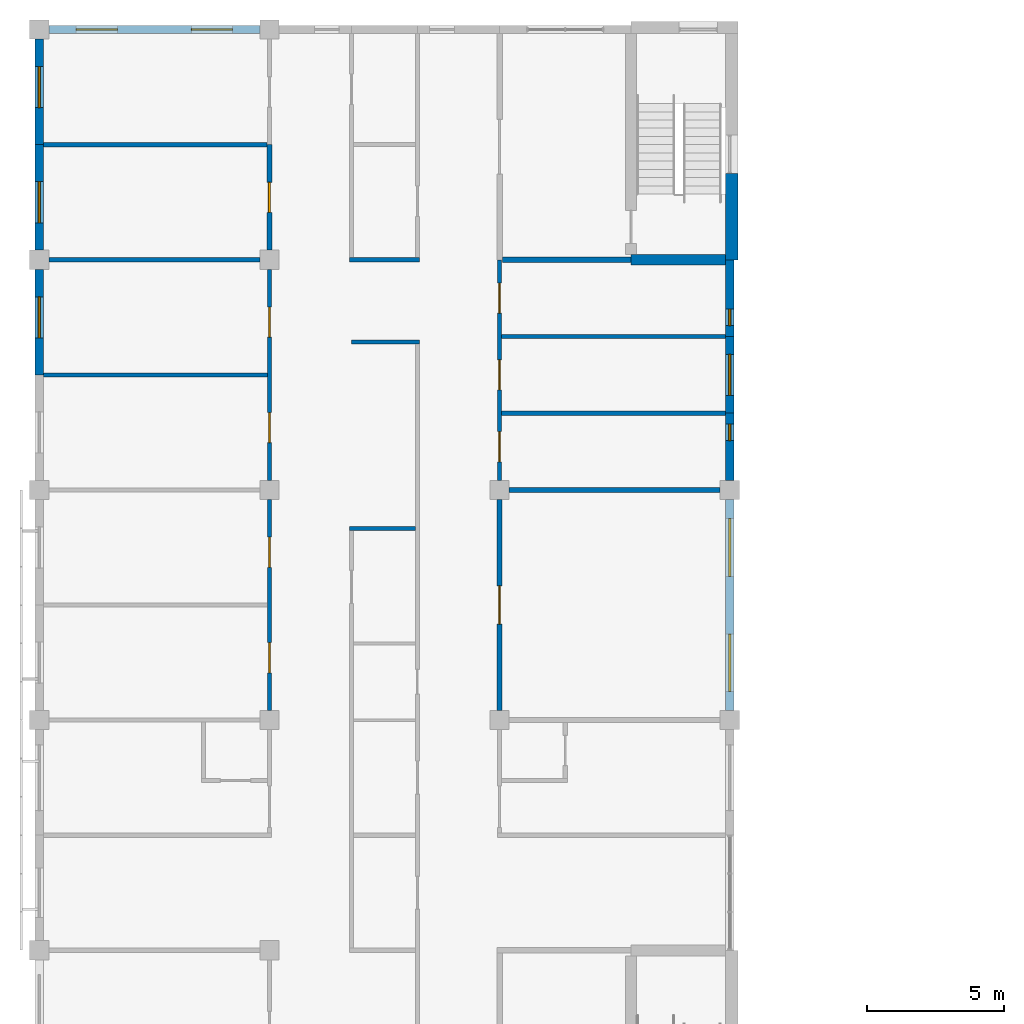
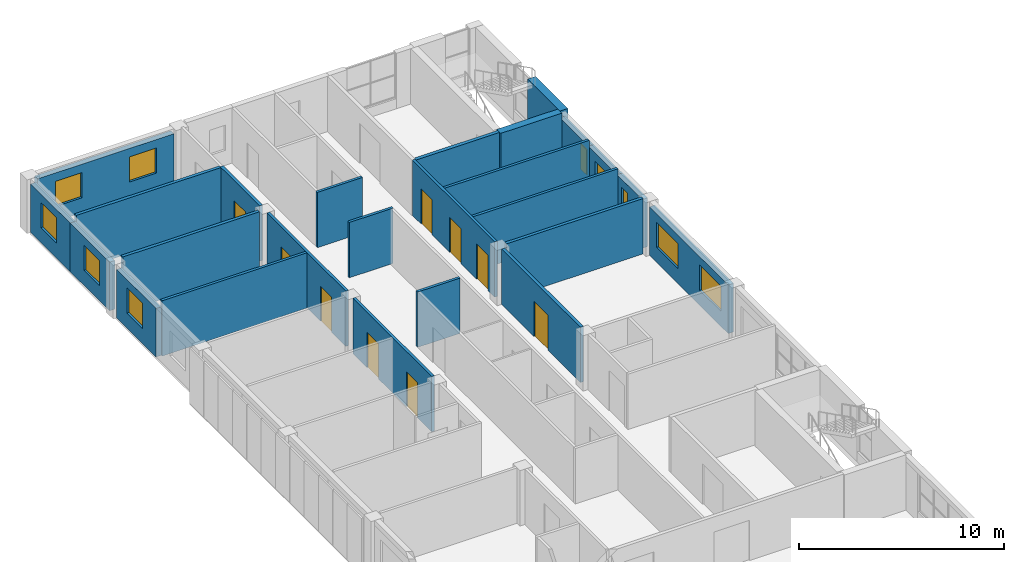
# One storey, part 36 of 48: 25 walls, 10 windows, 9 doors, 19 openings.
"""IFC4 building model written with IfcOpenShell, lengths in metres."""

from ifc_helpers import new_model, si_unit, direction, frame, frame_2d, origin, place, context, subcontext, project, spatial, rectangle, extrude, material, layer, layer_set, type_object, element, fill, save


model = new_model("IFC4")

# Units and contexts
model_context = context("Model", 3, precision=1e-05, world=origin(), true_north=direction((0.0, 1.0)))
body_context = subcontext(model_context, "Body", "Model", "MODEL_VIEW")
ifc_project = project(units=[si_unit("LENGTHUNIT", "METRE"), si_unit("AREAUNIT", "SQUARE_METRE"), si_unit("VOLUMEUNIT", "CUBIC_METRE"), si_unit("PLANEANGLEUNIT", "RADIAN"), si_unit("MASSUNIT", "GRAM", prefix="KILO")], contexts=[model_context])

# Site, building, storey
site_placement = place(None, origin())
site = spatial("IfcSite", under=ifc_project, at=site_placement, CompositionType="ELEMENT")
building_placement = place(site_placement, origin())
building = spatial("IfcBuilding", under=site, at=building_placement, Name="Yavir Park General Hospital", CompositionType="ELEMENT")
storey_placement = place(building_placement, frame((0.0, 0.0, 26.10009765625)))
storey = spatial("IfcBuildingStorey", under=building, at=storey_placement, Name="L06", CompositionType="ELEMENT", Elevation=26.10009765625)

# Walls
ifc_material_1 = material(Name="Double-leaf gypsum board acoustic partition on staggered studs")
ifc_layer_1 = layer(ifc_material_1, 0.175048828125)
ifc_layer_set_1 = layer_set([ifc_layer_1], Name="Double-leaf gypsum board acoustic partition on staggered studs")
wall_type_1 = type_object("IfcWallType", Name="Acoustic partition 175", PredefinedType="PARTITIONING", material=ifc_layer_set_1)
wall_1_placement = place(storey_placement, frame((17.14990234375, 100.800048828125, 0.0), z_axis=(0.0, 0.0, 1.0), x_axis=(1.0, 0.0, 0.0)))
element("IfcWall", 1, at=wall_1_placement, inside=storey, type_object=wall_type_1, Name="AP175 L06-121", PredefinedType="PARTITIONING", context=body_context, shape_type="SweptSolid", body=[
    extrude(rectangle(XDim=7.7001953125, YDim=0.175048828125, at=frame_2d((3.85009765625, 0.0))), origin(), (0.0, 0.0, 1.0), 3.2998046875),
])
wall_2_placement = place(storey_placement, frame((0.35009765625, 109.199951171875, 0.0), z_axis=(0.0, 0.0, 1.0), x_axis=(1.0, 0.0, 0.0)))
element("IfcWall", 2, at=wall_2_placement, inside=storey, type_object=wall_type_1, Name="AP175 L06-126", PredefinedType="PARTITIONING", context=body_context, shape_type="SweptSolid", body=[
    extrude(rectangle(XDim=7.699951171875, YDim=0.175048828125, at=frame_2d((3.85009765625, 0.0))), origin(), (0.0, 0.0, 1.0), 3.2998046875),
])
wall_3_placement = place(storey_placement, frame((0.14990234375, 113.39990234375, 0.0), z_axis=(0.0, 0.0, 1.0), x_axis=(1.0, 0.0, 0.0)))
element("IfcWall", 3, at=wall_3_placement, inside=storey, type_object=wall_type_1, Name="AP175 L06-130", PredefinedType="PARTITIONING", context=body_context, shape_type="SweptSolid", body=[
    extrude(rectangle(XDim=8.16259765625, YDim=0.175048828125, at=frame_2d((4.081298828125, 0.0))), origin(), (0.0, 0.0, 1.0), 3.2998046875),
])

# Wall, opening, door
wall_4_placement = place(storey_placement, frame((8.39990234375, 109.550048828125, 0.0), z_axis=(0.0, 0.0, 1.0), x_axis=(0.0, 1.0, 0.0)))
wall_4 = element("IfcWall", 4, at=wall_4_placement, inside=storey, type_object=wall_type_1, Name="AP175 L06-160", PredefinedType="PARTITIONING", context=body_context, shape_type="SweptSolid", body=[
    extrude(rectangle(XDim=3.849853515625, YDim=0.175048828125, at=frame_2d((1.9248046875, 0.0))), origin(), (0.0, 0.0, 1.0), 3.2998046875),
])
opening_1_placement = place(wall_4_placement, frame((1.375, 0.0, 0.0)))
opening_1 = element("IfcOpeningElement", 5, at=opening_1_placement, cuts=wall_4, Name="Opening L06.D100", PredefinedType="OPENING", context=body_context, shape_type="SweptSolid", body=[
    extrude(rectangle(XDim=1.10009765625, YDim=2.10009765625, at=frame_2d((0.550048828125, 1.050048828125))), frame((0.0, 0.097412109375, 0.0), z_axis=(0.0, -1.0, 0.0), x_axis=(1.0, 0.0, 0.0)), (0.0, 0.0, 1.0), 0.195068359375),
])
ifc_material_2 = material(Name="Sealed solid-core acoustic door leaf, Rw 42 dB")
door_type_1 = type_object("IfcDoorType", Name="Acoustic door 1100 x 2100", OperationType="SINGLE_SWING_LEFT", PredefinedType="DOOR", material=ifc_material_2)
door_1_placement = place(opening_1_placement, origin())
door_1 = element("IfcDoor", 6, at=door_1_placement, inside=storey, type_object=door_type_1, Name="L06.D100", OperationType="SINGLE_SWING_LEFT", OverallHeight=2.10009765625, OverallWidth=1.10009765625, PredefinedType="DOOR", context=body_context, shape_type="SweptSolid", body=[
    extrude(rectangle(XDim=1.10009765625, YDim=2.10009765625, at=frame_2d((0.550048828125, 1.050048828125))), frame((0.0, 0.03515625, 0.0), z_axis=(0.0, -1.0, 0.0), x_axis=(1.0, 0.0, 0.0)), (0.0, 0.0, 1.0), 0.070068359375),
])
fill(opening_1, door_1)

wall_5_placement = place(storey_placement, frame((16.800048828125, 92.75, 0.0), z_axis=(0.0, 0.0, 1.0), x_axis=(0.0, 1.0, 0.0)))
wall_5 = element("IfcWall", 7, at=wall_5_placement, inside=storey, type_object=wall_type_1, Name="AP175 L06-183", PredefinedType="PARTITIONING", context=body_context, shape_type="SweptSolid", body=[
    extrude(rectangle(XDim=7.699951171875, YDim=0.175048828125, at=frame_2d((3.85009765625, 0.0))), origin(), (0.0, 0.0, 1.0), 3.2998046875),
])
opening_2_placement = place(wall_5_placement, frame((3.14990234375, 0.0, 0.0)))
opening_2 = element("IfcOpeningElement", 8, at=opening_2_placement, cuts=wall_5, Name="Opening L06.D122", PredefinedType="OPENING", context=body_context, shape_type="SweptSolid", body=[
    extrude(rectangle(XDim=1.39990234375, YDim=2.10009765625, at=frame_2d((0.699951171875, 1.050048828125))), frame((0.0, 0.097412109375, 0.0), z_axis=(0.0, -1.0, 0.0), x_axis=(1.0, 0.0, 0.0)), (0.0, 0.0, 1.0), 0.195068359375),
])
ifc_material_3 = material(Name="Hollow metal frame, solid-core timber leaf", Category="wood")
door_type_2 = type_object("IfcDoorType", Name="Single swing door 1400 x 2100", OperationType="SINGLE_SWING_LEFT", PredefinedType="DOOR", material=ifc_material_3)
door_2_placement = place(opening_2_placement, origin())
door_2 = element("IfcDoor", 9, at=door_2_placement, inside=storey, type_object=door_type_2, Name="L06.D122", OperationType="SINGLE_SWING_LEFT", OverallHeight=2.10009765625, OverallWidth=1.39990234375, PredefinedType="DOOR", context=body_context, shape_type="SweptSolid", body=[
    extrude(rectangle(XDim=1.39990234375, YDim=2.10009765625, at=frame_2d((0.699951171875, 1.050048828125))), frame((0.0, 0.02490234375, 0.0), z_axis=(0.0, -1.0, 0.0), x_axis=(1.0, 0.0, 0.0)), (0.0, 0.0, 1.0), 0.050048828125),
])
fill(opening_2, door_2)

# Walls
ifc_material_4 = material(Name="Double gypsum board fire partition on steel studs", Category="steel")
ifc_layer_2 = layer(ifc_material_4, 0.199951171875)
ifc_layer_set_2 = layer_set([ifc_layer_2], Name="Double gypsum board fire partition on steel studs")
wall_type_2 = type_object("IfcWallType", Name="Fire-rated partition 200, EI 60", PredefinedType="PARTITIONING", material=ifc_layer_set_2)
wall_6_placement = place(storey_placement, frame((16.89990234375, 109.199951171875, 0.0), z_axis=(0.0, 0.0, 1.0), x_axis=(1.0, 0.0, 0.0)))
element("IfcWall", 10, at=wall_6_placement, inside=storey, type_object=wall_type_2, Name="FP20 L06-128", PredefinedType="PARTITIONING", context=body_context, shape_type="SweptSolid", body=[
    extrude(rectangle(XDim=4.7001953125, YDim=0.199951171875, at=frame_2d((2.35009765625, 0.0))), origin(), (0.0, 0.0, 1.0), 3.2998046875),
])
ifc_material_5 = material(Name="Gypsum board partition on steel studs", Category="steel")
ifc_layer_3 = layer(ifc_material_5, 0.14990234375)
ifc_layer_set_3 = layer_set([ifc_layer_3], Name="Gypsum board partition on steel studs")
wall_type_3 = type_object("IfcWallType", Name="Gypsum board partition 150", PredefinedType="PARTITIONING", material=ifc_layer_set_3)
wall_7_placement = place(storey_placement, frame((11.324951171875, 99.39990234375, 0.0), z_axis=(0.0, 0.0, 1.0), x_axis=(1.0, 0.0, 0.0)))
element("IfcWall", 11, at=wall_7_placement, inside=storey, type_object=wall_type_3, Name="P15 L06-119", PredefinedType="PARTITIONING", context=body_context, shape_type="SweptSolid", body=[
    extrude(rectangle(XDim=2.400146484375, YDim=0.14990234375, at=frame_2d((1.2001953125, 0.0))), origin(), (0.0, 0.0, 1.0), 3.2998046875),
])
for number, where, z_axis, x_axis, name in (
    (12, (16.875, 103.60009765625, 0.0), (0.0, 0.0, 1.0), (1.0, 0.0, 0.0), "P15 L06-122"),
    (13, (0.14990234375, 105.0, 0.0), (0.0, 0.0, 1.0), (1.0, 0.0, 0.0), "P15 L06-123"),
):
    element("IfcWall", number, at=place(storey_placement, frame(where, z_axis=z_axis, x_axis=x_axis)), inside=storey, type_object=wall_type_3, Name=name, PredefinedType="PARTITIONING", context=body_context, shape_type="SweptSolid", body=[
        extrude(rectangle(XDim=8.175048828125, YDim=0.14990234375, at=frame_2d((4.08740234375, 0.0))), origin(), (0.0, 0.0, 1.0), 3.2998046875),
    ])
wall_8_placement = place(storey_placement, frame((11.39990234375, 106.199951171875, 0.0), z_axis=(0.0, 0.0, 1.0), x_axis=(1.0, 0.0, 0.0)))
element("IfcWall", 14, at=wall_8_placement, inside=storey, type_object=wall_type_3, Name="P15 L06-124", PredefinedType="PARTITIONING", context=body_context, shape_type="SweptSolid", body=[
    extrude(rectangle(XDim=2.47509765625, YDim=0.14990234375, at=frame_2d((1.237548828125, 0.0))), origin(), (0.0, 0.0, 1.0), 3.2998046875),
])
wall_9_placement = place(storey_placement, frame((16.875, 106.39990234375, 0.0), z_axis=(0.0, 0.0, 1.0), x_axis=(1.0, 0.0, 0.0)))
element("IfcWall", 15, at=wall_9_placement, inside=storey, type_object=wall_type_3, Name="P15 L06-125", PredefinedType="PARTITIONING", context=body_context, shape_type="SweptSolid", body=[
    extrude(rectangle(XDim=8.175048828125, YDim=0.14990234375, at=frame_2d((4.08740234375, 0.0))), origin(), (0.0, 0.0, 1.0), 3.2998046875),
])
wall_10_placement = place(storey_placement, frame((11.324951171875, 109.199951171875, 0.0), z_axis=(0.0, 0.0, 1.0), x_axis=(1.0, 0.0, 0.0)))
element("IfcWall", 16, at=wall_10_placement, inside=storey, type_object=wall_type_3, Name="P15 L06-127", PredefinedType="PARTITIONING", context=body_context, shape_type="SweptSolid", body=[
    extrude(rectangle(XDim=2.550048828125, YDim=0.14990234375, at=frame_2d((1.27490234375, 0.0))), origin(), (0.0, 0.0, 1.0), 3.2998046875),
])

# Wall, openings, doors
wall_11_placement = place(storey_placement, frame((8.39990234375, 92.75, 0.0), z_axis=(0.0, 0.0, 1.0), x_axis=(0.0, 1.0, 0.0)))
wall_11 = element("IfcWall", 17, at=wall_11_placement, inside=storey, type_object=wall_type_3, Name="P15 L06-158", PredefinedType="PARTITIONING", context=body_context, shape_type="SweptSolid", body=[
    extrude(rectangle(XDim=7.699951171875, YDim=0.14990234375, at=frame_2d((3.85009765625, 0.0))), origin(), (0.0, 0.0, 1.0), 3.2998046875),
])
opening_3_placement = place(wall_11_placement, frame((1.375, 0.0, 0.0)))
opening_3 = element("IfcOpeningElement", 18, at=opening_3_placement, cuts=wall_11, Name="Opening L06.D096", PredefinedType="OPENING", context=body_context, shape_type="SweptSolid", body=[
    extrude(rectangle(XDim=1.10009765625, YDim=2.10009765625, at=frame_2d((0.550048828125, 1.050048828125))), frame((0.0, 0.0849609375, 0.0), z_axis=(0.0, -1.0, 0.0), x_axis=(1.0, 0.0, 0.0)), (0.0, 0.0, 1.0), 0.169921875),
])
opening_4_placement = place(wall_11_placement, frame((5.22509765625, 0.0, 0.0)))
opening_4 = element("IfcOpeningElement", 19, at=opening_4_placement, cuts=wall_11, Name="Opening L06.D097", PredefinedType="OPENING", context=body_context, shape_type="SweptSolid", body=[
    extrude(rectangle(XDim=1.10009765625, YDim=2.10009765625, at=frame_2d((0.550048828125, 1.050048828125))), frame((0.0, 0.0849609375, 0.0), z_axis=(0.0, -1.0, 0.0), x_axis=(1.0, 0.0, 0.0)), (0.0, 0.0, 1.0), 0.169921875),
])
ifc_material_6 = material(Name="Hollow metal frame, solid-core timber leaf", Category="wood")
door_type_3 = type_object("IfcDoorType", Name="Single swing door 1100 x 2100", OperationType="SINGLE_SWING_LEFT", PredefinedType="DOOR", material=ifc_material_6)
door_3_placement = place(opening_3_placement, origin())
door_3 = element("IfcDoor", 20, at=door_3_placement, inside=storey, type_object=door_type_3, Name="L06.D096", OperationType="SINGLE_SWING_LEFT", OverallHeight=2.10009765625, OverallWidth=1.10009765625, PredefinedType="DOOR", context=body_context, shape_type="SweptSolid", body=[
    extrude(rectangle(XDim=1.10009765625, YDim=2.10009765625, at=frame_2d((0.550048828125, 1.050048828125))), frame((0.0, 0.02490234375, 0.0), z_axis=(0.0, -1.0, 0.0), x_axis=(1.0, 0.0, 0.0)), (0.0, 0.0, 1.0), 0.050048828125),
])
fill(opening_3, door_3)
door_4_placement = place(opening_4_placement, origin())
door_4 = element("IfcDoor", 21, at=door_4_placement, inside=storey, type_object=door_type_3, Name="L06.D097", OperationType="SINGLE_SWING_RIGHT", OverallHeight=2.10009765625, OverallWidth=1.10009765625, PredefinedType="DOOR", context=body_context, shape_type="SweptSolid", body=[
    extrude(rectangle(XDim=1.10009765625, YDim=2.10009765625, at=frame_2d((0.550048828125, 1.050048828125))), frame((0.0, 0.02490234375, 0.0), z_axis=(0.0, -1.0, 0.0), x_axis=(1.0, 0.0, 0.0)), (0.0, 0.0, 1.0), 0.050048828125),
])
fill(opening_4, door_4)

wall_12_placement = place(storey_placement, frame((8.39990234375, 101.14990234375, 0.0), z_axis=(0.0, 0.0, 1.0), x_axis=(0.0, 1.0, 0.0)))
wall_12 = element("IfcWall", 22, at=wall_12_placement, inside=storey, type_object=wall_type_3, Name="P15 L06-159", PredefinedType="PARTITIONING", context=body_context, shape_type="SweptSolid", body=[
    extrude(rectangle(XDim=7.7001953125, YDim=0.14990234375, at=frame_2d((3.85009765625, 0.0))), origin(), (0.0, 0.0, 1.0), 3.2998046875),
])
opening_5_placement = place(wall_12_placement, frame((1.375, 0.0, 0.0)))
opening_5 = element("IfcOpeningElement", 23, at=opening_5_placement, cuts=wall_12, Name="Opening L06.D098", PredefinedType="OPENING", context=body_context, shape_type="SweptSolid", body=[
    extrude(rectangle(XDim=1.10009765625, YDim=2.10009765625, at=frame_2d((0.550048828125, 1.050048828125))), frame((0.0, 0.0849609375, 0.0), z_axis=(0.0, -1.0, 0.0), x_axis=(1.0, 0.0, 0.0)), (0.0, 0.0, 1.0), 0.169921875),
])
opening_6_placement = place(wall_12_placement, frame((5.22509765625, 0.0, 0.0)))
opening_6 = element("IfcOpeningElement", 24, at=opening_6_placement, cuts=wall_12, Name="Opening L06.D099", PredefinedType="OPENING", context=body_context, shape_type="SweptSolid", body=[
    extrude(rectangle(XDim=1.10009765625, YDim=2.10009765625, at=frame_2d((0.550048828125, 1.050048828125))), frame((0.0, 0.0849609375, 0.0), z_axis=(0.0, -1.0, 0.0), x_axis=(1.0, 0.0, 0.0)), (0.0, 0.0, 1.0), 0.169921875),
])
door_5_placement = place(opening_5_placement, origin())
door_5 = element("IfcDoor", 25, at=door_5_placement, inside=storey, type_object=door_type_3, Name="L06.D098", OperationType="SINGLE_SWING_LEFT", OverallHeight=2.10009765625, OverallWidth=1.10009765625, PredefinedType="DOOR", context=body_context, shape_type="SweptSolid", body=[
    extrude(rectangle(XDim=1.10009765625, YDim=2.10009765625, at=frame_2d((0.550048828125, 1.050048828125))), frame((0.0, 0.02490234375, 0.0), z_axis=(0.0, -1.0, 0.0), x_axis=(1.0, 0.0, 0.0)), (0.0, 0.0, 1.0), 0.050048828125),
])
fill(opening_5, door_5)
door_6_placement = place(opening_6_placement, origin())
door_6 = element("IfcDoor", 26, at=door_6_placement, inside=storey, type_object=door_type_3, Name="L06.D099", OperationType="SINGLE_SWING_RIGHT", OverallHeight=2.10009765625, OverallWidth=1.10009765625, PredefinedType="DOOR", context=body_context, shape_type="SweptSolid", body=[
    extrude(rectangle(XDim=1.10009765625, YDim=2.10009765625, at=frame_2d((0.550048828125, 1.050048828125))), frame((0.0, 0.02490234375, 0.0), z_axis=(0.0, -1.0, 0.0), x_axis=(1.0, 0.0, 0.0)), (0.0, 0.0, 1.0), 0.050048828125),
])
fill(opening_6, door_6)

wall_13_placement = place(storey_placement, frame((16.800048828125, 101.14990234375, 0.0), z_axis=(0.0, 0.0, 1.0), x_axis=(0.0, 1.0, 0.0)))
wall_13 = element("IfcWall", 27, at=wall_13_placement, inside=storey, type_object=wall_type_3, Name="P15 L06-184", PredefinedType="PARTITIONING", context=body_context, shape_type="SweptSolid", body=[
    extrude(rectangle(XDim=8.050048828125, YDim=0.14990234375, at=frame_2d((4.02490234375, 0.0))), origin(), (0.0, 0.0, 1.0), 3.2998046875),
])
opening_7_placement = place(wall_13_placement, frame((0.675048828125, 0.0, 0.0)))
opening_7 = element("IfcOpeningElement", 28, at=opening_7_placement, cuts=wall_13, Name="Opening L06.D123", PredefinedType="OPENING", context=body_context, shape_type="SweptSolid", body=[
    extrude(rectangle(XDim=1.10009765625, YDim=2.10009765625, at=frame_2d((0.550048828125, 1.050048828125))), frame((0.0, 0.0849609375, 0.0), z_axis=(0.0, -1.0, 0.0), x_axis=(1.0, 0.0, 0.0)), (0.0, 0.0, 1.0), 0.169921875),
])
opening_8_placement = place(wall_13_placement, frame((3.300048828125, 0.0, 0.0)))
opening_8 = element("IfcOpeningElement", 29, at=opening_8_placement, cuts=wall_13, Name="Opening L06.D124", PredefinedType="OPENING", context=body_context, shape_type="SweptSolid", body=[
    extrude(rectangle(XDim=1.10009765625, YDim=2.10009765625, at=frame_2d((0.550048828125, 1.050048828125))), frame((0.0, 0.0849609375, 0.0), z_axis=(0.0, -1.0, 0.0), x_axis=(1.0, 0.0, 0.0)), (0.0, 0.0, 1.0), 0.169921875),
])
opening_9_placement = place(wall_13_placement, frame((6.10009765625, 0.0, 0.0)))
opening_9 = element("IfcOpeningElement", 30, at=opening_9_placement, cuts=wall_13, Name="Opening L06.D125", PredefinedType="OPENING", context=body_context, shape_type="SweptSolid", body=[
    extrude(rectangle(XDim=1.10009765625, YDim=2.10009765625, at=frame_2d((0.550048828125, 1.050048828125))), frame((0.0, 0.0849609375, 0.0), z_axis=(0.0, -1.0, 0.0), x_axis=(1.0, 0.0, 0.0)), (0.0, 0.0, 1.0), 0.169921875),
])
door_7_placement = place(opening_7_placement, origin())
door_7 = element("IfcDoor", 31, at=door_7_placement, inside=storey, type_object=door_type_3, Name="L06.D123", OperationType="SINGLE_SWING_RIGHT", OverallHeight=2.10009765625, OverallWidth=1.10009765625, PredefinedType="DOOR", context=body_context, shape_type="SweptSolid", body=[
    extrude(rectangle(XDim=1.10009765625, YDim=2.10009765625, at=frame_2d((0.550048828125, 1.050048828125))), frame((0.0, 0.02490234375, 0.0), z_axis=(0.0, -1.0, 0.0), x_axis=(1.0, 0.0, 0.0)), (0.0, 0.0, 1.0), 0.050048828125),
])
fill(opening_7, door_7)
door_8_placement = place(opening_8_placement, origin())
door_8 = element("IfcDoor", 32, at=door_8_placement, inside=storey, type_object=door_type_3, Name="L06.D124", OperationType="SINGLE_SWING_LEFT", OverallHeight=2.10009765625, OverallWidth=1.10009765625, PredefinedType="DOOR", context=body_context, shape_type="SweptSolid", body=[
    extrude(rectangle(XDim=1.10009765625, YDim=2.10009765625, at=frame_2d((0.550048828125, 1.050048828125))), frame((0.0, 0.02490234375, 0.0), z_axis=(0.0, -1.0, 0.0), x_axis=(1.0, 0.0, 0.0)), (0.0, 0.0, 1.0), 0.050048828125),
])
fill(opening_8, door_8)
door_9_placement = place(opening_9_placement, origin())
door_9 = element("IfcDoor", 33, at=door_9_placement, inside=storey, type_object=door_type_3, Name="L06.D125", OperationType="SINGLE_SWING_LEFT", OverallHeight=2.10009765625, OverallWidth=1.10009765625, PredefinedType="DOOR", context=body_context, shape_type="SweptSolid", body=[
    extrude(rectangle(XDim=1.10009765625, YDim=2.10009765625, at=frame_2d((0.550048828125, 1.050048828125))), frame((0.0, 0.02490234375, 0.0), z_axis=(0.0, -1.0, 0.0), x_axis=(1.0, 0.0, 0.0)), (0.0, 0.0, 1.0), 0.050048828125),
])
fill(opening_9, door_9)

# Wall, openings, windows
ifc_material_7 = material(Name="Autoclaved aerated block, mineral wool and ochre mineral render")
ifc_layer_4 = layer(ifc_material_7, 0.300048828125)
ifc_layer_set_4 = layer_set([ifc_layer_4], Name="Autoclaved aerated block, mineral wool and ochre mineral render")
wall_type_4 = type_object("IfcWallType", Name="Ochre render ward wall 300, E 30", PredefinedType="SOLIDWALL", material=ifc_layer_set_4)
wall_14_placement = place(storey_placement, frame((0.35009765625, 117.60009765625, 0.0), z_axis=(0.0, 0.0, 1.0), x_axis=(1.0, 0.0, 0.0)))
wall_14 = element("IfcWall", 34, at=wall_14_placement, inside=storey, type_object=wall_type_4, Name="XW7 L06-059", PredefinedType="SOLIDWALL", context=body_context, shape_type="SweptSolid", body=[
    extrude(rectangle(XDim=7.699951171875, YDim=0.300048828125, at=frame_2d((3.85009765625, 0.0))), origin(), (0.0, 0.0, 1.0), 2.89990234375),
])
opening_10_placement = place(wall_14_placement, frame((1.0, 0.0, 0.89990234375)))
opening_10 = element("IfcOpeningElement", 35, at=opening_10_placement, cuts=wall_14, Name="Opening WC", PredefinedType="OPENING", context=body_context, shape_type="SweptSolid", body=[
    extrude(rectangle(XDim=1.5, YDim=1.5, at=frame_2d((0.75, 0.75))), frame((0.0, 0.159912109375, 0.0), z_axis=(0.0, -1.0, 0.0), x_axis=(1.0, 0.0, 0.0)), (0.0, 0.0, 1.0), 0.320068359375),
])
opening_11_placement = place(wall_14_placement, frame((5.199951171875, 0.0, 0.89990234375)))
opening_11 = element("IfcOpeningElement", 36, at=opening_11_placement, cuts=wall_14, Name="Opening WC", PredefinedType="OPENING", context=body_context, shape_type="SweptSolid", body=[
    extrude(rectangle(XDim=1.5, YDim=1.5, at=frame_2d((0.75, 0.75))), frame((0.0, 0.159912109375, 0.0), z_axis=(0.0, -1.0, 0.0), x_axis=(1.0, 0.0, 0.0)), (0.0, 0.0, 1.0), 0.320068359375),
])
ifc_material_8 = material(Name="Aluminium frame, double glazed unit", Category="aluminium")
window_type_1 = type_object("IfcWindowType", Name="Consulting room window 1500 x 1500", PartitioningType="SINGLE_PANEL", PredefinedType="WINDOW", material=ifc_material_8)
window_1_placement = place(opening_10_placement, origin())
window_1 = element("IfcWindow", 37, at=window_1_placement, inside=storey, type_object=window_type_1, Name="WC L06-018", OverallHeight=1.5, OverallWidth=1.5, PartitioningType="SINGLE_PANEL", PredefinedType="WINDOW", context=body_context, shape_type="SweptSolid", body=[
    extrude(rectangle(XDim=1.5, YDim=1.5, at=frame_2d((0.75, 0.75))), frame((0.0, 0.030029296875, 0.0), z_axis=(0.0, -1.0, 0.0), x_axis=(1.0, 0.0, 0.0)), (0.0, 0.0, 1.0), 0.06005859375),
])
fill(opening_10, window_1)
window_2_placement = place(opening_11_placement, origin())
window_2 = element("IfcWindow", 38, at=window_2_placement, inside=storey, type_object=window_type_1, Name="WC L06-019", OverallHeight=1.5, OverallWidth=1.5, PartitioningType="SINGLE_PANEL", PredefinedType="WINDOW", context=body_context, shape_type="SweptSolid", body=[
    extrude(rectangle(XDim=1.5, YDim=1.5, at=frame_2d((0.75, 0.75))), frame((0.0, 0.030029296875, 0.0), z_axis=(0.0, -1.0, 0.0), x_axis=(1.0, 0.0, 0.0)), (0.0, 0.0, 1.0), 0.06005859375),
])
fill(opening_11, window_2)

# Wall, opening, window
wall_15_placement = place(storey_placement, frame((0.0, 105.0, 0.0), z_axis=(0.0, 0.0, 1.0), x_axis=(0.0, 1.0, 0.0)))
wall_15 = element("IfcWall", 39, at=wall_15_placement, inside=storey, type_object=wall_type_4, Name="XW7 L06-096", PredefinedType="SOLIDWALL", context=body_context, shape_type="SweptSolid", body=[
    extrude(rectangle(XDim=3.85009765625, YDim=0.300048828125, at=frame_2d((1.925048828125, 0.0))), origin(), (0.0, 0.0, 1.0), 2.89990234375),
])
opening_12_placement = place(wall_15_placement, frame((1.35009765625, 0.0, 0.89990234375)))
opening_12 = element("IfcOpeningElement", 40, at=opening_12_placement, cuts=wall_15, Name="Opening WC", PredefinedType="OPENING", context=body_context, shape_type="SweptSolid", body=[
    extrude(rectangle(XDim=1.5, YDim=1.5, at=frame_2d((0.75, 0.75))), frame((0.0, 0.159912109375, 0.0), z_axis=(0.0, -1.0, 0.0), x_axis=(1.0, 0.0, 0.0)), (0.0, 0.0, 1.0), 0.320068359375),
])
window_3_placement = place(opening_12_placement, origin())
window_3 = element("IfcWindow", 41, at=window_3_placement, inside=storey, type_object=window_type_1, Name="WC L06-040", OverallHeight=1.5, OverallWidth=1.5, PartitioningType="SINGLE_PANEL", PredefinedType="WINDOW", context=body_context, shape_type="SweptSolid", body=[
    extrude(rectangle(XDim=1.5, YDim=1.5, at=frame_2d((0.75, 0.75))), frame((0.0, 0.030029296875, 0.0), z_axis=(0.0, -1.0, 0.0), x_axis=(1.0, 0.0, 0.0)), (0.0, 0.0, 1.0), 0.06005859375),
])
fill(opening_12, window_3)

wall_16_placement = place(storey_placement, frame((0.0, 109.550048828125, 0.0), z_axis=(0.0, 0.0, 1.0), x_axis=(0.0, 1.0, 0.0)))
wall_16 = element("IfcWall", 42, at=wall_16_placement, inside=storey, type_object=wall_type_4, Name="XW7 L06-097", PredefinedType="SOLIDWALL", context=body_context, shape_type="SweptSolid", body=[
    extrude(rectangle(XDim=3.849853515625, YDim=0.300048828125, at=frame_2d((1.9248046875, 0.0))), origin(), (0.0, 0.0, 1.0), 2.89990234375),
])
opening_13_placement = place(wall_16_placement, frame((1.0, 0.0, 0.89990234375)))
opening_13 = element("IfcOpeningElement", 43, at=opening_13_placement, cuts=wall_16, Name="Opening WC", PredefinedType="OPENING", context=body_context, shape_type="SweptSolid", body=[
    extrude(rectangle(XDim=1.5, YDim=1.5, at=frame_2d((0.75, 0.75))), frame((0.0, 0.159912109375, 0.0), z_axis=(0.0, -1.0, 0.0), x_axis=(1.0, 0.0, 0.0)), (0.0, 0.0, 1.0), 0.320068359375),
])
window_4_placement = place(opening_13_placement, origin())
window_4 = element("IfcWindow", 44, at=window_4_placement, inside=storey, type_object=window_type_1, Name="WC L06-041", OverallHeight=1.5, OverallWidth=1.5, PartitioningType="SINGLE_PANEL", PredefinedType="WINDOW", context=body_context, shape_type="SweptSolid", body=[
    extrude(rectangle(XDim=1.5, YDim=1.5, at=frame_2d((0.75, 0.75))), frame((0.0, 0.030029296875, 0.0), z_axis=(0.0, -1.0, 0.0), x_axis=(1.0, 0.0, 0.0)), (0.0, 0.0, 1.0), 0.06005859375),
])
fill(opening_13, window_4)

wall_17_placement = place(storey_placement, frame((0.0, 113.39990234375, 0.0), z_axis=(0.0, 0.0, 1.0), x_axis=(0.0, 1.0, 0.0)))
wall_17 = element("IfcWall", 45, at=wall_17_placement, inside=storey, type_object=wall_type_4, Name="XW7 L06-098", PredefinedType="SOLIDWALL", context=body_context, shape_type="SweptSolid", body=[
    extrude(rectangle(XDim=3.85009765625, YDim=0.300048828125, at=frame_2d((1.925048828125, 0.0))), origin(), (0.0, 0.0, 1.0), 2.89990234375),
])
opening_14_placement = place(wall_17_placement, frame((1.35009765625, 0.0, 0.89990234375)))
opening_14 = element("IfcOpeningElement", 46, at=opening_14_placement, cuts=wall_17, Name="Opening WC", PredefinedType="OPENING", context=body_context, shape_type="SweptSolid", body=[
    extrude(rectangle(XDim=1.5, YDim=1.5, at=frame_2d((0.75, 0.75))), frame((0.0, 0.159912109375, 0.0), z_axis=(0.0, -1.0, 0.0), x_axis=(1.0, 0.0, 0.0)), (0.0, 0.0, 1.0), 0.320068359375),
])
window_5_placement = place(opening_14_placement, origin())
window_5 = element("IfcWindow", 47, at=window_5_placement, inside=storey, type_object=window_type_1, Name="WC L06-042", OverallHeight=1.5, OverallWidth=1.5, PartitioningType="SINGLE_PANEL", PredefinedType="WINDOW", context=body_context, shape_type="SweptSolid", body=[
    extrude(rectangle(XDim=1.5, YDim=1.5, at=frame_2d((0.75, 0.75))), frame((0.0, 0.030029296875, 0.0), z_axis=(0.0, -1.0, 0.0), x_axis=(1.0, 0.0, 0.0)), (0.0, 0.0, 1.0), 0.06005859375),
])
fill(opening_14, window_5)

# Wall, openings, windows
wall_18_placement = place(storey_placement, frame((25.199951171875, 92.75, 0.0), z_axis=(0.0, 0.0, 1.0), x_axis=(0.0, 1.0, 0.0)))
wall_18 = element("IfcWall", 48, at=wall_18_placement, inside=storey, type_object=wall_type_4, Name="XW7 L06-119", PredefinedType="SOLIDWALL", context=body_context, shape_type="SweptSolid", body=[
    extrude(rectangle(XDim=7.699951171875, YDim=0.300048828125, at=frame_2d((3.85009765625, 0.0))), origin(), (0.0, 0.0, 1.0), 2.89990234375),
])
opening_15_placement = place(wall_18_placement, frame((0.699951171875, 0.0, 0.89990234375)))
opening_15 = element("IfcOpeningElement", 49, at=opening_15_placement, cuts=wall_18, Name="Opening WAR", PredefinedType="OPENING", context=body_context, shape_type="SweptSolid", body=[
    extrude(rectangle(XDim=2.10009765625, YDim=1.5, at=frame_2d((1.050048828125, 0.75))), frame((0.0, 0.159912109375, 0.0), z_axis=(0.0, -1.0, 0.0), x_axis=(1.0, 0.0, 0.0)), (0.0, 0.0, 1.0), 0.320068359375),
])
opening_16_placement = place(wall_18_placement, frame((4.89990234375, 0.0, 0.89990234375)))
opening_16 = element("IfcOpeningElement", 50, at=opening_16_placement, cuts=wall_18, Name="Opening WAR", PredefinedType="OPENING", context=body_context, shape_type="SweptSolid", body=[
    extrude(rectangle(XDim=2.10009765625, YDim=1.5, at=frame_2d((1.050048828125, 0.75))), frame((0.0, 0.159912109375, 0.0), z_axis=(0.0, -1.0, 0.0), x_axis=(1.0, 0.0, 0.0)), (0.0, 0.0, 1.0), 0.320068359375),
])
ifc_material_9 = material(Name="Aluminium frame, tilt-and-turn sash with opening restrictor, double glazed unit", Category="aluminium")
window_type_2 = type_object("IfcWindowType", Name="Ward window, restricted opening 2100 x 1500", PartitioningType="DOUBLE_PANEL_VERTICAL", PredefinedType="WINDOW", material=ifc_material_9)
window_6_placement = place(opening_15_placement, origin())
window_6 = element("IfcWindow", 51, at=window_6_placement, inside=storey, type_object=window_type_2, Name="WAR L06-050", OverallHeight=1.5, OverallWidth=2.10009765625, PartitioningType="DOUBLE_PANEL_VERTICAL", PredefinedType="WINDOW", context=body_context, shape_type="SweptSolid", body=[
    extrude(rectangle(XDim=2.10009765625, YDim=1.5, at=frame_2d((1.050048828125, 0.75))), frame((0.0, 0.050048828125, 0.0), z_axis=(0.0, -1.0, 0.0), x_axis=(1.0, 0.0, 0.0)), (0.0, 0.0, 1.0), 0.10009765625),
])
fill(opening_15, window_6)
window_7_placement = place(opening_16_placement, origin())
window_7 = element("IfcWindow", 52, at=window_7_placement, inside=storey, type_object=window_type_2, Name="WAR L06-051", OverallHeight=1.5, OverallWidth=2.10009765625, PartitioningType="DOUBLE_PANEL_VERTICAL", PredefinedType="WINDOW", context=body_context, shape_type="SweptSolid", body=[
    extrude(rectangle(XDim=2.10009765625, YDim=1.5, at=frame_2d((1.050048828125, 0.75))), frame((0.0, 0.050048828125, 0.0), z_axis=(0.0, -1.0, 0.0), x_axis=(1.0, 0.0, 0.0)), (0.0, 0.0, 1.0), 0.10009765625),
])
fill(opening_16, window_7)

# Wall, opening, window
wall_19_placement = place(storey_placement, frame((25.199951171875, 101.14990234375, 0.0), z_axis=(0.0, 0.0, 1.0), x_axis=(0.0, 1.0, 0.0)))
wall_19 = element("IfcWall", 53, at=wall_19_placement, inside=storey, type_object=wall_type_4, Name="XW7 L06-120", PredefinedType="SOLIDWALL", context=body_context, shape_type="SweptSolid", body=[
    extrude(rectangle(XDim=2.4501953125, YDim=0.300048828125, at=frame_2d((1.22509765625, 0.0))), origin(), (0.0, 0.0, 1.0), 2.89990234375),
])
opening_17_placement = place(wall_19_placement, frame((1.449951171875, 0.0, 0.89990234375)))
opening_17 = element("IfcOpeningElement", 54, at=opening_17_placement, cuts=wall_19, Name="Opening WL", PredefinedType="OPENING", context=body_context, shape_type="SweptSolid", body=[
    extrude(rectangle(XDim=0.60009765625, YDim=1.5, at=frame_2d((0.300048828125, 0.75))), frame((0.0, 0.159912109375, 0.0), z_axis=(0.0, -1.0, 0.0), x_axis=(1.0, 0.0, 0.0)), (0.0, 0.0, 1.0), 0.320068359375),
])
ifc_material_10 = material(Name="Aluminium frame, double glazed unit", Category="aluminium")
window_type_3 = type_object("IfcWindowType", Name="Slim window 600 x 1500", PartitioningType="SINGLE_PANEL", PredefinedType="WINDOW", material=ifc_material_10)
window_8_placement = place(opening_17_placement, origin())
window_8 = element("IfcWindow", 55, at=window_8_placement, inside=storey, type_object=window_type_3, Name="WL L06-052", OverallHeight=1.5, OverallWidth=0.60009765625, PartitioningType="SINGLE_PANEL", PredefinedType="WINDOW", context=body_context, shape_type="SweptSolid", body=[
    extrude(rectangle(XDim=0.60009765625, YDim=1.5, at=frame_2d((0.300048828125, 0.75))), frame((0.0, 0.030029296875, 0.0), z_axis=(0.0, -1.0, 0.0), x_axis=(1.0, 0.0, 0.0)), (0.0, 0.0, 1.0), 0.06005859375),
])
fill(opening_17, window_8)

wall_20_placement = place(storey_placement, frame((25.199951171875, 103.60009765625, 0.0), z_axis=(0.0, 0.0, 1.0), x_axis=(0.0, 1.0, 0.0)))
wall_20 = element("IfcWall", 56, at=wall_20_placement, inside=storey, type_object=wall_type_4, Name="XW7 L06-121", PredefinedType="SOLIDWALL", context=body_context, shape_type="SweptSolid", body=[
    extrude(rectangle(XDim=2.7998046875, YDim=0.300048828125, at=frame_2d((1.39990234375, 0.0))), origin(), (0.0, 0.0, 1.0), 2.89990234375),
])
opening_18_placement = place(wall_20_placement, frame((0.64990234375, 0.0, 0.89990234375)))
opening_18 = element("IfcOpeningElement", 57, at=opening_18_placement, cuts=wall_20, Name="Opening WC", PredefinedType="OPENING", context=body_context, shape_type="SweptSolid", body=[
    extrude(rectangle(XDim=1.5, YDim=1.5, at=frame_2d((0.75, 0.75))), frame((0.0, 0.159912109375, 0.0), z_axis=(0.0, -1.0, 0.0), x_axis=(1.0, 0.0, 0.0)), (0.0, 0.0, 1.0), 0.320068359375),
])
window_9_placement = place(opening_18_placement, origin())
window_9 = element("IfcWindow", 58, at=window_9_placement, inside=storey, type_object=window_type_1, Name="WC L06-053", OverallHeight=1.5, OverallWidth=1.5, PartitioningType="SINGLE_PANEL", PredefinedType="WINDOW", context=body_context, shape_type="SweptSolid", body=[
    extrude(rectangle(XDim=1.5, YDim=1.5, at=frame_2d((0.75, 0.75))), frame((0.0, 0.030029296875, 0.0), z_axis=(0.0, -1.0, 0.0), x_axis=(1.0, 0.0, 0.0)), (0.0, 0.0, 1.0), 0.06005859375),
])
fill(opening_18, window_9)

wall_21_placement = place(storey_placement, frame((25.199951171875, 106.39990234375, 0.0), z_axis=(0.0, 0.0, 1.0), x_axis=(0.0, 1.0, 0.0)))
wall_21 = element("IfcWall", 59, at=wall_21_placement, inside=storey, type_object=wall_type_4, Name="XW7 L06-122", PredefinedType="SOLIDWALL", context=body_context, shape_type="SweptSolid", body=[
    extrude(rectangle(XDim=2.800048828125, YDim=0.300048828125, at=frame_2d((1.39990234375, 0.0))), origin(), (0.0, 0.0, 1.0), 2.89990234375),
])
opening_19_placement = place(wall_21_placement, frame((0.39990234375, 0.0, 0.89990234375)))
opening_19 = element("IfcOpeningElement", 60, at=opening_19_placement, cuts=wall_21, Name="Opening WL", PredefinedType="OPENING", context=body_context, shape_type="SweptSolid", body=[
    extrude(rectangle(XDim=0.60009765625, YDim=1.5, at=frame_2d((0.300048828125, 0.75))), frame((0.0, 0.159912109375, 0.0), z_axis=(0.0, -1.0, 0.0), x_axis=(1.0, 0.0, 0.0)), (0.0, 0.0, 1.0), 0.320068359375),
])
window_10_placement = place(opening_19_placement, origin())
window_10 = element("IfcWindow", 61, at=window_10_placement, inside=storey, type_object=window_type_3, Name="WL L06-054", OverallHeight=1.5, OverallWidth=0.60009765625, PartitioningType="SINGLE_PANEL", PredefinedType="WINDOW", context=body_context, shape_type="SweptSolid", body=[
    extrude(rectangle(XDim=0.60009765625, YDim=1.5, at=frame_2d((0.300048828125, 0.75))), frame((0.0, 0.030029296875, 0.0), z_axis=(0.0, -1.0, 0.0), x_axis=(1.0, 0.0, 0.0)), (0.0, 0.0, 1.0), 0.06005859375),
])
fill(opening_19, window_10)

# Walls
ifc_material_11 = material(Name="Concrete C35/45", Category="concrete")
ifc_layer_5 = layer(ifc_material_11, 0.39990234375)
ifc_layer_set_5 = layer_set([ifc_layer_5], Name="Concrete C35/45")
wall_type_5 = type_object("IfcWallType", Name="Reinforced concrete core wall 400, REI 150", PredefinedType="SHEAR", material=ifc_layer_set_5)
wall_22_placement = place(storey_placement, frame((21.60009765625, 109.199951171875, 0.0), z_axis=(0.0, 0.0, 1.0), x_axis=(1.0, 0.0, 0.0)))
element("IfcWall", 62, at=wall_22_placement, inside=storey, type_object=wall_type_5, Name="CW40 L06-129", PredefinedType="SHEAR", context=body_context, shape_type="SweptSolid", body=[
    extrude(rectangle(XDim=3.449951171875, YDim=0.39990234375, at=frame_2d((1.72509765625, 0.0))), origin(), (0.0, 0.0, 1.0), 3.2998046875),
])
ifc_material_12 = material(Name="Concrete C30/37 precast panel with 150 mm mineral wool insulation", Category="concrete")
ifc_layer_6 = layer(ifc_material_12, 0.449951171875)
ifc_layer_set_6 = layer_set([ifc_layer_6], Name="Concrete C30/37 precast panel with 150 mm mineral wool insulation")
wall_type_6 = type_object("IfcWallType", Name="Stair enclosure wall 450, REI 150", PredefinedType="SOLIDWALL", material=ifc_layer_set_6)
wall_23_placement = place(storey_placement, frame((25.27490234375, 109.199951171875, 0.0), z_axis=(0.0, 0.0, 1.0), x_axis=(0.0, 1.0, 0.0)))
element("IfcWall", 63, at=wall_23_placement, inside=storey, type_object=wall_type_6, Name="XW6 L06-123", PredefinedType="SOLIDWALL", context=body_context, shape_type="SweptSolid", body=[
    extrude(rectangle(XDim=3.150146484375, YDim=0.449951171875, at=frame_2d((1.5751953125, 0.0))), origin(), (0.0, 0.0, 1.0), 3.2998046875),
])

save(model, "model.ifc")
